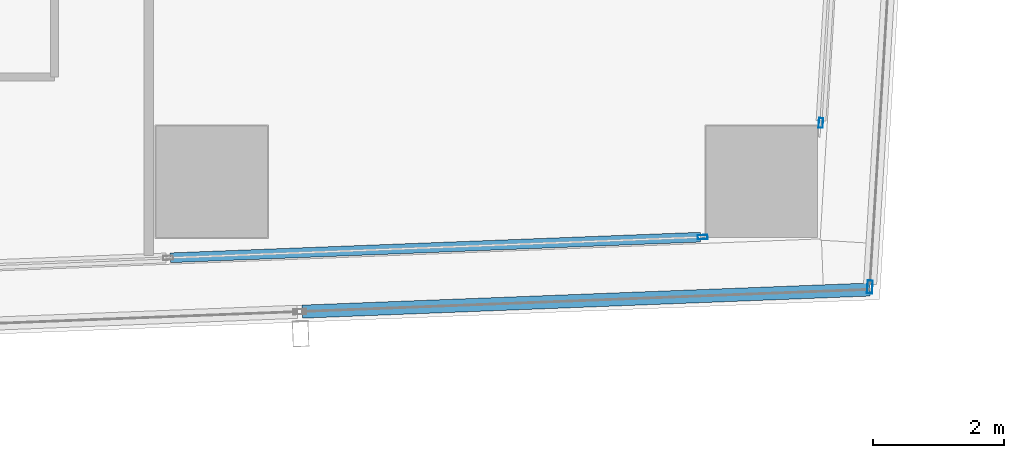
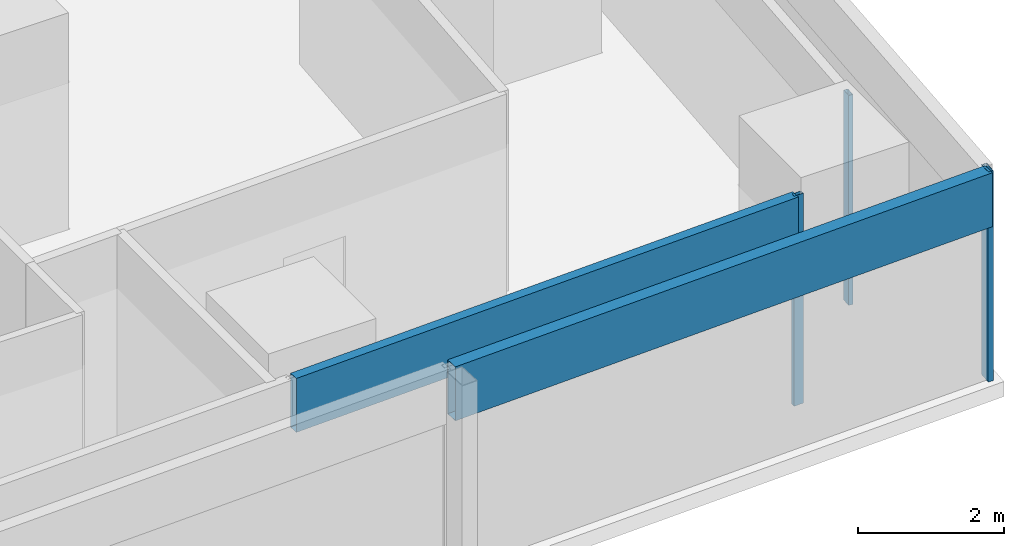
# One storey, part 12 of 40: 5 members, 4 elements without a shape of their own.
"""IFC4 building model written with IfcOpenShell, lengths in metres."""

from ifc_helpers import new_model, si_unit, direction, frame, origin, origin_2d, place, context, subcontext, project, spatial, hollow_rectangle, extrude, material, material_profile, profile_set, type_object, element, aggregate, save


model = new_model("IFC4")

# Units and contexts
model_context = context("Model", 3, precision=1e-05, world=origin(), true_north=direction((0.0, 1.0)))
body_context = subcontext(model_context, "Body", "Model", "MODEL_VIEW")
ifc_project = project(units=[si_unit("LENGTHUNIT", "METRE"), si_unit("AREAUNIT", "SQUARE_METRE"), si_unit("VOLUMEUNIT", "CUBIC_METRE"), si_unit("PLANEANGLEUNIT", "RADIAN"), si_unit("MASSUNIT", "GRAM", prefix="KILO")], contexts=[model_context])

# Site, building, storey
site_placement = place(None, origin())
site = spatial("IfcSite", under=ifc_project, at=site_placement, CompositionType="ELEMENT")
building_placement = place(site_placement, origin())
building = spatial("IfcBuilding", under=site, at=building_placement, Name="Rekha Terrace Tower", CompositionType="ELEMENT")
storey_placement = place(building_placement, frame((0.0, 0.0, 121.550048828125)))
storey = spatial("IfcBuildingStorey", under=building, at=storey_placement, Name="L30", CompositionType="ELEMENT", Elevation=121.550048828125)

# Curtain wall, member
ifc_material_1 = material(Name="Aluminium framing", Category="aluminium")
curtain_wall_type_1 = type_object("IfcCurtainWallType", Name="CW1 double skin inner glazing", PredefinedType="USERDEFINED", material=ifc_material_1)
curtain_wall_1_placement = place(storey_placement, origin())
curtain_wall_1 = element("IfcCurtainWall", 1, at=curtain_wall_1_placement, inside=storey, type_object=curtain_wall_type_1, Name="CW1 double skin inner glazing", ObjectType="DOUBLE SKIN INNER GLAZING", PredefinedType="USERDEFINED")
ifc_material_2 = material(Name="Aluminium mullion section", Category="aluminium")
ifc_material_profile_1 = material_profile(ifc_material_2, hollow_rectangle(XDim=0.06494140625, YDim=0.14990234375, WallThickness=0.00390625, at=origin_2d()), Name="AL RHS 65x150")
ifc_profile_set_1 = profile_set([ifc_material_profile_1], Name="Aluminium mullion section")
member_type_1 = type_object("IfcMemberType", Name="CW1 mullion RHS 65 x 150", PredefinedType="MULLION", material=ifc_profile_set_1)
member_1_placement = place(storey_placement, frame((66.29736328125, 15.95556640625, 0.0), z_axis=(0.0, 0.0, 1.0), x_axis=(-0.038889971345, 0.999243498917, 0.0)))
member_1 = element("IfcMember", 2, at=member_1_placement, type_object=member_type_1, Name="CW1 mullion 6", PredefinedType="MULLION", context=body_context, shape_type="SweptSolid", body=[
    extrude(hollow_rectangle(XDim=0.06494140625, YDim=0.14990234375, WallThickness=0.00390625, at=origin_2d()), origin(), (0.0, 0.0, 1.0), 3.5),
])

curtain_wall_2_placement = place(storey_placement, origin())
curtain_wall_2 = element("IfcCurtainWall", 3, at=curtain_wall_2_placement, inside=storey, type_object=curtain_wall_type_1, Name="CW1 double skin inner glazing", ObjectType="DOUBLE SKIN INNER GLAZING", PredefinedType="USERDEFINED")
member_2_placement = place(storey_placement, frame((68.103515625, 17.69921875, 0.0), z_axis=(0.0, 0.0, 1.0), x_axis=(-0.998127987024, 0.061159803131, 0.0)))
member_2 = element("IfcMember", 4, at=member_2_placement, type_object=member_type_1, Name="CW1 mullion 1", PredefinedType="MULLION", context=body_context, shape_type="SweptSolid", body=[
    extrude(hollow_rectangle(XDim=0.06494140625, YDim=0.14990234375, WallThickness=0.00390625, at=origin_2d()), origin(), (0.0, 0.0, 1.0), 3.5),
])
aggregate(curtain_wall_2, [member_2])

# Member
ifc_material_3 = material(Name="Insulated aluminium spandrel box", Category="aluminium")
ifc_material_profile_2 = material_profile(ifc_material_3, hollow_rectangle(XDim=0.14990234375, YDim=0.89990234375, WallThickness=0.0029296875, at=origin_2d()), Name="AL SPANDREL BOX 150x900")
ifc_profile_set_2 = profile_set([ifc_material_profile_2], Name="Insulated aluminium spandrel box")
member_type_2 = type_object("IfcMemberType", Name="CW1 spandrel transom 150 x 900", PredefinedType="USERDEFINED", material=ifc_profile_set_2)
member_3_placement = place(storey_placement, frame((58.165771484375, 15.63916015625, 3.050048828125), z_axis=(0.999243585207, 0.038887754153, 0.0), x_axis=(-0.038887754153, 0.999243585207, 0.0)))
member_3 = element("IfcMember", 5, at=member_3_placement, type_object=member_type_2, Name="CW1 spandrel transom 5", ObjectType="TRANSOM", PredefinedType="USERDEFINED", context=body_context, shape_type="SweptSolid", body=[
    extrude(hollow_rectangle(XDim=0.14990234375, YDim=0.89990234375, WallThickness=0.0029296875, at=origin_2d()), origin(), (0.0, 0.0, 1.0), 8.10498046875),
])

aggregate(curtain_wall_1, [member_1, member_3])

# Curtain wall, member
curtain_wall_type_2 = type_object("IfcCurtainWallType", Name="CW2 double skin outer glazing", PredefinedType="USERDEFINED", material=ifc_material_1)
curtain_wall_3_placement = place(storey_placement, origin())
curtain_wall_3 = element("IfcCurtainWall", 6, at=curtain_wall_3_placement, inside=storey, type_object=curtain_wall_type_2, Name="CW2 double skin outer glazing", ObjectType="DOUBLE SKIN OUTER GLAZING", PredefinedType="USERDEFINED")
ifc_material_profile_3 = material_profile(ifc_material_2, hollow_rectangle(XDim=0.080078125, YDim=0.199951171875, WallThickness=0.00390625, at=origin_2d()), Name="AL RHS 80x200")
ifc_profile_set_3 = profile_set([ifc_material_profile_3], Name="Aluminium mullion section")
member_type_3 = type_object("IfcMemberType", Name="CW2 mullion RHS 80 x 200", PredefinedType="MULLION", material=ifc_profile_set_3)
member_4_placement = place(storey_placement, frame((68.8515625, 15.194091796875, 0.0), z_axis=(0.0, 0.0, 1.0), x_axis=(-0.998127987024, 0.061159803131, 0.0)))
member_4 = element("IfcMember", 7, at=member_4_placement, type_object=member_type_3, Name="CW2 mullion 1", PredefinedType="MULLION", context=body_context, shape_type="SweptSolid", body=[
    extrude(hollow_rectangle(XDim=0.080078125, YDim=0.199951171875, WallThickness=0.00390625, at=origin_2d()), origin(), (0.0, 0.0, 1.0), 3.5),
])
aggregate(curtain_wall_3, [member_4])

curtain_wall_4_placement = place(storey_placement, origin())
curtain_wall_4 = element("IfcCurtainWall", 8, at=curtain_wall_4_placement, inside=storey, type_object=curtain_wall_type_2, Name="CW2 double skin outer glazing", ObjectType="DOUBLE SKIN OUTER GLAZING", PredefinedType="USERDEFINED")
ifc_material_profile_4 = material_profile(ifc_material_3, hollow_rectangle(XDim=0.199951171875, YDim=0.89990234375, WallThickness=0.0029296875, at=origin_2d()), Name="AL SPANDREL BOX 200x900")
ifc_profile_set_4 = profile_set([ifc_material_profile_4], Name="Insulated aluminium spandrel box")
member_type_4 = type_object("IfcMemberType", Name="CW2 spandrel transom 200 x 900", PredefinedType="USERDEFINED", material=ifc_profile_set_4)
member_5_placement = place(storey_placement, frame((60.18408203125, 14.81689453125, 3.050048828125), z_axis=(0.99924276334, 0.038908866757, 0.0), x_axis=(-0.038908866757, 0.99924276334, 0.0)))
member_5 = element("IfcMember", 9, at=member_5_placement, type_object=member_type_4, Name="CW2 spandrel transom 5", ObjectType="TRANSOM", PredefinedType="USERDEFINED", context=body_context, shape_type="SweptSolid", body=[
    extrude(hollow_rectangle(XDim=0.199951171875, YDim=0.89990234375, WallThickness=0.0029296875, at=origin_2d()), origin(), (0.0, 0.0, 1.0), 8.671630859375),
])
aggregate(curtain_wall_4, [member_5])

save(model, "model.ifc")
